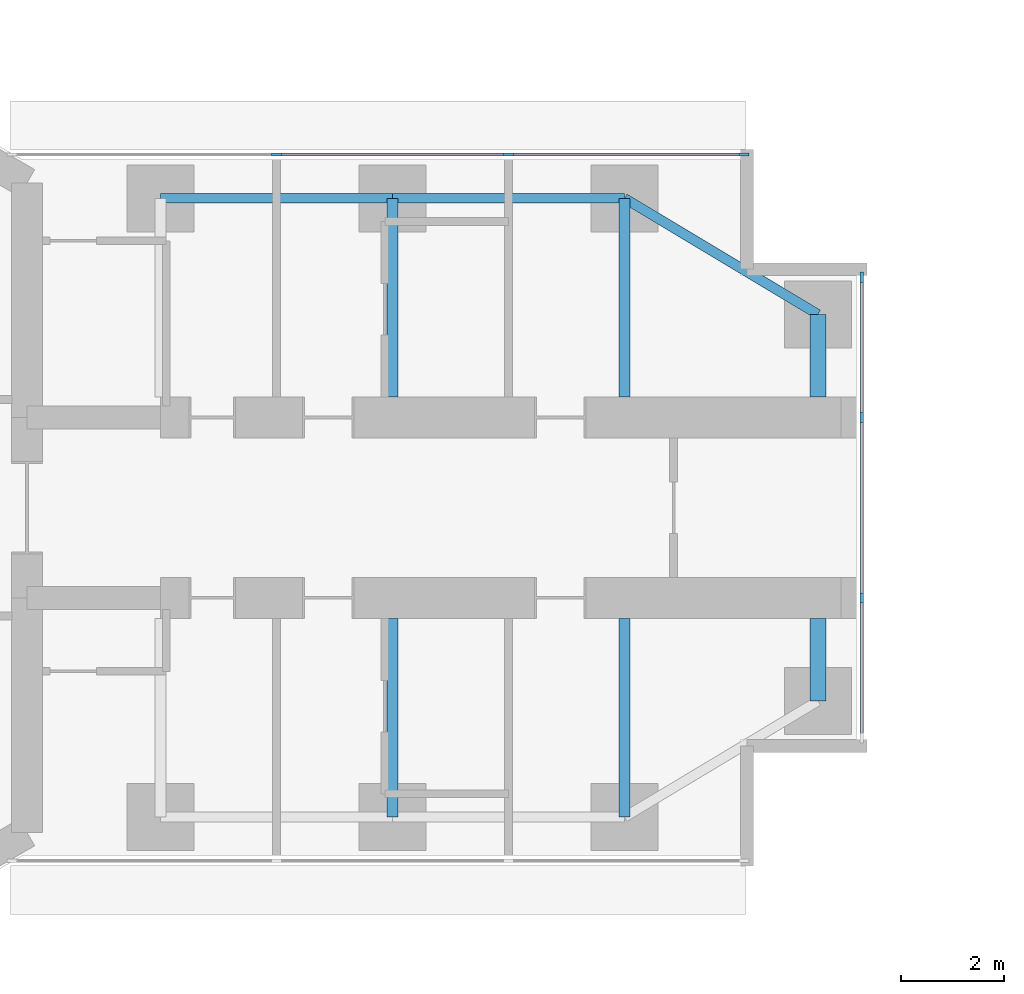
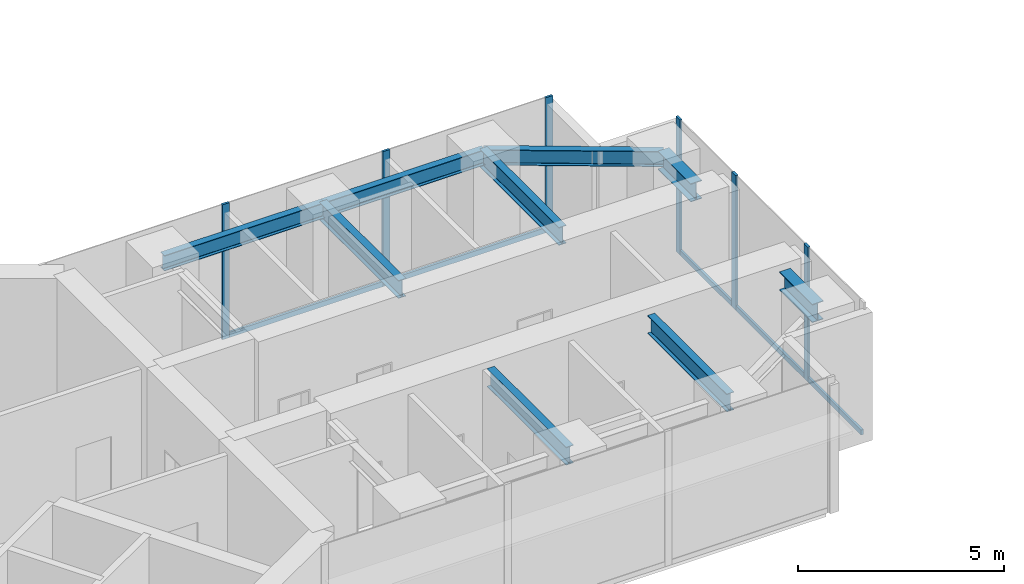
# One storey, part 7 of 22: 11 members, 9 beams, 2 elements without a shape of their own.
"""IFC4 building model written with IfcOpenShell, lengths in metres."""

from ifc_helpers import new_model, si_unit, direction, frame, origin, origin_2d, place, context, subcontext, project, spatial, rectangle, i_section, extrude, material, material_profile, profile_set, type_object, element, aggregate, save


model = new_model("IFC4")

# Units and contexts
model_context = context("Model", 3, precision=1e-05, world=origin(), true_north=direction((0.0, 1.0)))
body_context = subcontext(model_context, "Body", "Model", "MODEL_VIEW")
ifc_project = project(units=[si_unit("LENGTHUNIT", "METRE"), si_unit("AREAUNIT", "SQUARE_METRE"), si_unit("VOLUMEUNIT", "CUBIC_METRE"), si_unit("PLANEANGLEUNIT", "RADIAN"), si_unit("MASSUNIT", "GRAM", prefix="KILO")], contexts=[model_context])

# Site, building, storey
site_placement = place(None, origin())
site = spatial("IfcSite", under=ifc_project, at=site_placement, CompositionType="ELEMENT")
building_placement = place(site_placement, origin())
building = spatial("IfcBuilding", under=site, at=building_placement, Name="Upepo Twin Towers", CompositionType="ELEMENT")
storey_placement = place(building_placement, frame((0.0, 0.0, 137.5)))
storey = spatial("IfcBuildingStorey", under=building, at=storey_placement, Name="L33", CompositionType="ELEMENT", Elevation=137.5)

# Beams
ifc_material_1 = material(Name="Steel S355", Category="steel")
ifc_material_profile_1 = material_profile(ifc_material_1, i_section(OverallWidth=0.1904296875, OverallDepth=0.45703125, WebThickness=0.009033203125, FlangeThickness=0.014404296875, FilletRadius=0.01025390625, at=origin_2d()), Name="UB 457x191x74")
ifc_profile_set_1 = profile_set([ifc_material_profile_1], Name="Steel S355")
beam_type_1 = type_object("IfcBeamType", Name="Beam UB 457x191x74", PredefinedType="BEAM", material=ifc_profile_set_1)
for number, where, z_axis, x_axis, name in (
    (1, (13.5, 6.0, 3.571533203125), (1.0, 0.0, 0.0), (0.0, 1.0, 0.0), "T1 edge beam AL 13.5-18.0"),
    (2, (18.0, 6.0, 3.571533203125), (1.0, 0.0, 0.0), (0.0, 1.0, 0.0), "T1 edge beam AL 18.0-22.5"),
):
    element("IfcBeam", number, at=place(storey_placement, frame(where, z_axis=z_axis, x_axis=x_axis)), inside=storey, type_object=beam_type_1, Name=name, PredefinedType="BEAM", context=body_context, shape_type="SweptSolid", body=[
        extrude(i_section(OverallWidth=0.1904296875, OverallDepth=0.45703125, WebThickness=0.009033203125, FlangeThickness=0.014404296875, FilletRadius=0.01025390625, at=origin_2d()), origin(), (0.0, 0.0, 1.0), 4.5),
    ])
beam_placement = place(storey_placement, frame((22.5, 6.0, 3.571533203125), z_axis=(0.857492925713, -0.514495755428, 0.0), x_axis=(0.514495755428, 0.857492925713, 0.0)))
element("IfcBeam", 3, at=beam_placement, inside=storey, type_object=beam_type_1, Name="T1 nose edge beam AL", PredefinedType="BEAM", context=body_context, shape_type="SweptSolid", body=[
    extrude(i_section(OverallWidth=0.1904296875, OverallDepth=0.45703125, WebThickness=0.009033203125, FlangeThickness=0.014404296875, FilletRadius=0.01025390625, at=origin_2d()), origin(), (0.0, 0.0, 1.0), 4.373291015625),
])
ifc_material_2 = material(Name="Steel S355", Category="steel")
ifc_material_profile_2 = material_profile(ifc_material_2, i_section(OverallWidth=0.209228515625, OverallDepth=0.533203125, WebThickness=0.010009765625, FlangeThickness=0.015625, FilletRadius=0.0126953125, at=origin_2d()), Name="UB 533x210x92")
ifc_profile_set_2 = profile_set([ifc_material_profile_2], Name="Steel S355")
beam_type_2 = type_object("IfcBeamType", Name="Beam UB 533x210x92", PredefinedType="BEAM", material=ifc_profile_set_2)
for number, where, z_axis, x_axis, name in (
    (4, (18.0, 6.0, 3.533447265625), (0.0, -1.0, 0.0), (1.0, 0.0, 0.0), "T1 girder AL at 18.0"),
    (5, (22.5, 6.0, 3.533447265625), (0.0, -1.0, 0.0), (1.0, 0.0, 0.0), "T1 girder AL at 22.5"),
    (6, (18.0, -6.0, 3.533447265625), (0.0, 1.0, 0.0), (-1.0, 0.0, 0.0), "T1 girder AR at 18.0"),
    (7, (22.5, -6.0, 3.533447265625), (0.0, 1.0, 0.0), (-1.0, 0.0, 0.0), "T1 girder AR at 22.5"),
):
    element("IfcBeam", number, at=place(storey_placement, frame(where, z_axis=z_axis, x_axis=x_axis)), inside=storey, type_object=beam_type_2, Name=name, PredefinedType="BEAM", context=body_context, shape_type="SweptSolid", body=[
        extrude(i_section(OverallWidth=0.209228515625, OverallDepth=0.533203125, WebThickness=0.010009765625, FlangeThickness=0.015625, FilletRadius=0.0126953125, at=origin_2d()), origin(), (0.0, 0.0, 1.0), 3.85009765625),
    ])
ifc_material_3 = material(Name="Steel S355", Category="steel")
ifc_material_profile_3 = material_profile(ifc_material_3, i_section(OverallWidth=0.31201171875, OverallDepth=0.54345703125, WebThickness=0.0126953125, FlangeThickness=0.020263671875, FilletRadius=0.0126953125, at=origin_2d()), Name="UB 533x312x150")
ifc_profile_set_3 = profile_set([ifc_material_profile_3], Name="Steel S355")
beam_type_3 = type_object("IfcBeamType", Name="Beam UB 533x312x150", PredefinedType="BEAM", material=ifc_profile_set_3)
for number, where, z_axis, x_axis, name in (
    (8, (26.25, 3.75, 3.5283203125), (0.0, -1.0, 0.0), (1.0, 0.0, 0.0), "T1 nose beam AL"),
    (9, (26.25, -3.75, 3.5283203125), (0.0, 1.0, 0.0), (-1.0, 0.0, 0.0), "T1 nose beam AR"),
):
    element("IfcBeam", number, at=place(storey_placement, frame(where, z_axis=z_axis, x_axis=x_axis)), inside=storey, type_object=beam_type_3, Name=name, PredefinedType="BEAM", context=body_context, shape_type="SweptSolid", body=[
        extrude(i_section(OverallWidth=0.31201171875, OverallDepth=0.54345703125, WebThickness=0.0126953125, FlangeThickness=0.020263671875, FilletRadius=0.0126953125, at=origin_2d()), origin(), (0.0, 0.0, 1.0), 1.60009765625),
    ])

# Curtain wall, members
ifc_material_4 = material(Name="Aluminium and fritted glass", Category="aluminium")
curtain_wall_type = type_object("IfcCurtainWallType", Name="Tower curtain wall TW2, fritted glass", PredefinedType="NOTDEFINED", material=ifc_material_4)
curtain_wall_1_placement = place(storey_placement, origin())
curtain_wall_1 = element("IfcCurtainWall", 10, at=curtain_wall_1_placement, inside=storey, type_object=curtain_wall_type, Name="T1 L33 wing A flank L curtain wall", PredefinedType="NOTDEFINED")
ifc_material_5 = material(Name="Aluminium mullion", Category="aluminium")
ifc_material_profile_4 = material_profile(ifc_material_5, rectangle(XDim=0.06494140625, YDim=0.199951171875, at=origin_2d()), Name="MULLION 65x200")
ifc_profile_set_4 = profile_set([ifc_material_profile_4], Name="Aluminium mullion")
member_type_1 = type_object("IfcMemberType", Name="Mullion 65x200 TW2", PredefinedType="MULLION", material=ifc_profile_set_4)
member_1_placement = place(storey_placement, frame((15.75, 6.85009765625, 0.0), z_axis=(0.0, 0.0, 1.0), x_axis=(0.0, 1.0, 0.0)))
member_1 = element("IfcMember", 11, at=member_1_placement, type_object=member_type_1, Name="T1 L33 wing A flank L curtain wall mullion 2", PredefinedType="MULLION", context=body_context, shape_type="SweptSolid", body=[
    extrude(rectangle(XDim=0.06494140625, YDim=0.199951171875, at=origin_2d()), origin(), (0.0, 0.0, 1.0), 4.0),
])
member_2_placement = place(storey_placement, frame((20.25, 6.85009765625, 0.0), z_axis=(0.0, 0.0, 1.0), x_axis=(0.0, 1.0, 0.0)))
member_2 = element("IfcMember", 12, at=member_2_placement, type_object=member_type_1, Name="T1 L33 wing A flank L curtain wall mullion 3", PredefinedType="MULLION", context=body_context, shape_type="SweptSolid", body=[
    extrude(rectangle(XDim=0.06494140625, YDim=0.199951171875, at=origin_2d()), origin(), (0.0, 0.0, 1.0), 4.0),
])
member_3_placement = place(storey_placement, frame((24.8173828125, 6.85009765625, 0.0), z_axis=(0.0, 0.0, 1.0), x_axis=(0.0, 1.0, 0.0)))
member_3 = element("IfcMember", 13, at=member_3_placement, type_object=member_type_1, Name="T1 L33 wing A flank L curtain wall mullion 4", PredefinedType="MULLION", context=body_context, shape_type="SweptSolid", body=[
    extrude(rectangle(XDim=0.06494140625, YDim=0.199951171875, at=origin_2d()), origin(), (0.0, 0.0, 1.0), 4.0),
])

curtain_wall_2_placement = place(storey_placement, origin())
curtain_wall_2 = element("IfcCurtainWall", 14, at=curtain_wall_2_placement, inside=storey, type_object=curtain_wall_type, Name="T1 L33 wing A nose curtain wall", PredefinedType="NOTDEFINED")
member_4_placement = place(storey_placement, frame((27.10009765625, -1.75, 0.0), z_axis=(0.0, 0.0, 1.0), x_axis=(-1.0, 0.0, 0.0)))
member_4 = element("IfcMember", 15, at=member_4_placement, type_object=member_type_1, Name="T1 L33 wing A nose curtain wall mullion 2", PredefinedType="MULLION", context=body_context, shape_type="SweptSolid", body=[
    extrude(rectangle(XDim=0.06494140625, YDim=0.199951171875, at=origin_2d()), origin(), (0.0, 0.0, 1.0), 4.0),
])
member_5_placement = place(storey_placement, frame((27.10009765625, 1.75, 0.0), z_axis=(0.0, 0.0, 1.0), x_axis=(-1.0, 0.0, 0.0)))
member_5 = element("IfcMember", 16, at=member_5_placement, type_object=member_type_1, Name="T1 L33 wing A nose curtain wall mullion 3", PredefinedType="MULLION", context=body_context, shape_type="SweptSolid", body=[
    extrude(rectangle(XDim=0.06494140625, YDim=0.199951171875, at=origin_2d()), origin(), (0.0, 0.0, 1.0), 4.0),
])
member_6_placement = place(storey_placement, frame((27.10009765625, 4.467529296875, 0.0), z_axis=(0.0, 0.0, 1.0), x_axis=(-1.0, 0.0, 0.0)))
member_6 = element("IfcMember", 17, at=member_6_placement, type_object=member_type_1, Name="T1 L33 wing A nose curtain wall mullion 4", PredefinedType="MULLION", context=body_context, shape_type="SweptSolid", body=[
    extrude(rectangle(XDim=0.06494140625, YDim=0.199951171875, at=origin_2d()), origin(), (0.0, 0.0, 1.0), 4.0),
])

# Member
ifc_material_6 = material(Name="Aluminium transom", Category="aluminium")
ifc_material_profile_5 = material_profile(ifc_material_6, rectangle(XDim=0.06494140625, YDim=0.14990234375, at=origin_2d()), Name="TRANSOM 65x150")
ifc_profile_set_5 = profile_set([ifc_material_profile_5], Name="Aluminium transom")
member_type_2 = type_object("IfcMemberType", Name="Transom 65x150 TW2", PredefinedType="USERDEFINED", material=ifc_profile_set_5)
member_7_placement = place(storey_placement, frame((15.782470703125, 6.85009765625, 0.074951171875), z_axis=(1.0, 0.0, 0.0), x_axis=(0.0, 1.0, 0.0)))
member_7 = element("IfcMember", 18, at=member_7_placement, type_object=member_type_2, Name="T1 L33 wing A flank L curtain wall transom 2", ObjectType="TRANSOM", PredefinedType="USERDEFINED", context=body_context, shape_type="SweptSolid", body=[
    extrude(rectangle(XDim=0.06494140625, YDim=0.14990234375, at=origin_2d()), origin(), (0.0, 0.0, 1.0), 4.43505859375),
])

member_8_placement = place(storey_placement, frame((20.282470703125, 6.85009765625, 0.074951171875), z_axis=(1.0, 0.0, 0.0), x_axis=(0.0, 1.0, 0.0)))
member_8 = element("IfcMember", 19, at=member_8_placement, type_object=member_type_2, Name="T1 L33 wing A flank L curtain wall transom 3", ObjectType="TRANSOM", PredefinedType="USERDEFINED", context=body_context, shape_type="SweptSolid", body=[
    extrude(rectangle(XDim=0.06494140625, YDim=0.14990234375, at=origin_2d()), origin(), (0.0, 0.0, 1.0), 4.50244140625),
])

aggregate(curtain_wall_1, [member_1, member_2, member_3, member_7, member_8])

member_9_placement = place(storey_placement, frame((27.10009765625, -4.43505859375, 0.074951171875), z_axis=(0.0, 1.0, 0.0), x_axis=(-1.0, 0.0, 0.0)))
member_9 = element("IfcMember", 20, at=member_9_placement, type_object=member_type_2, Name="T1 L33 wing A nose curtain wall transom 1", ObjectType="TRANSOM", PredefinedType="USERDEFINED", context=body_context, shape_type="SweptSolid", body=[
    extrude(rectangle(XDim=0.06494140625, YDim=0.14990234375, at=origin_2d()), origin(), (0.0, 0.0, 1.0), 2.652587890625),
])

member_10_placement = place(storey_placement, frame((27.10009765625, -1.717529296875, 0.074951171875), z_axis=(0.0, 1.0, 0.0), x_axis=(-1.0, 0.0, 0.0)))
member_10 = element("IfcMember", 21, at=member_10_placement, type_object=member_type_2, Name="T1 L33 wing A nose curtain wall transom 2", ObjectType="TRANSOM", PredefinedType="USERDEFINED", context=body_context, shape_type="SweptSolid", body=[
    extrude(rectangle(XDim=0.06494140625, YDim=0.14990234375, at=origin_2d()), origin(), (0.0, 0.0, 1.0), 3.43505859375),
])

member_11_placement = place(storey_placement, frame((27.10009765625, 1.782470703125, 0.074951171875), z_axis=(0.0, 1.0, 0.0), x_axis=(-1.0, 0.0, 0.0)))
member_11 = element("IfcMember", 22, at=member_11_placement, type_object=member_type_2, Name="T1 L33 wing A nose curtain wall transom 3", ObjectType="TRANSOM", PredefinedType="USERDEFINED", context=body_context, shape_type="SweptSolid", body=[
    extrude(rectangle(XDim=0.06494140625, YDim=0.14990234375, at=origin_2d()), origin(), (0.0, 0.0, 1.0), 2.652587890625),
])

aggregate(curtain_wall_2, [member_4, member_5, member_6, member_9, member_10, member_11])

save(model, "model.ifc")
